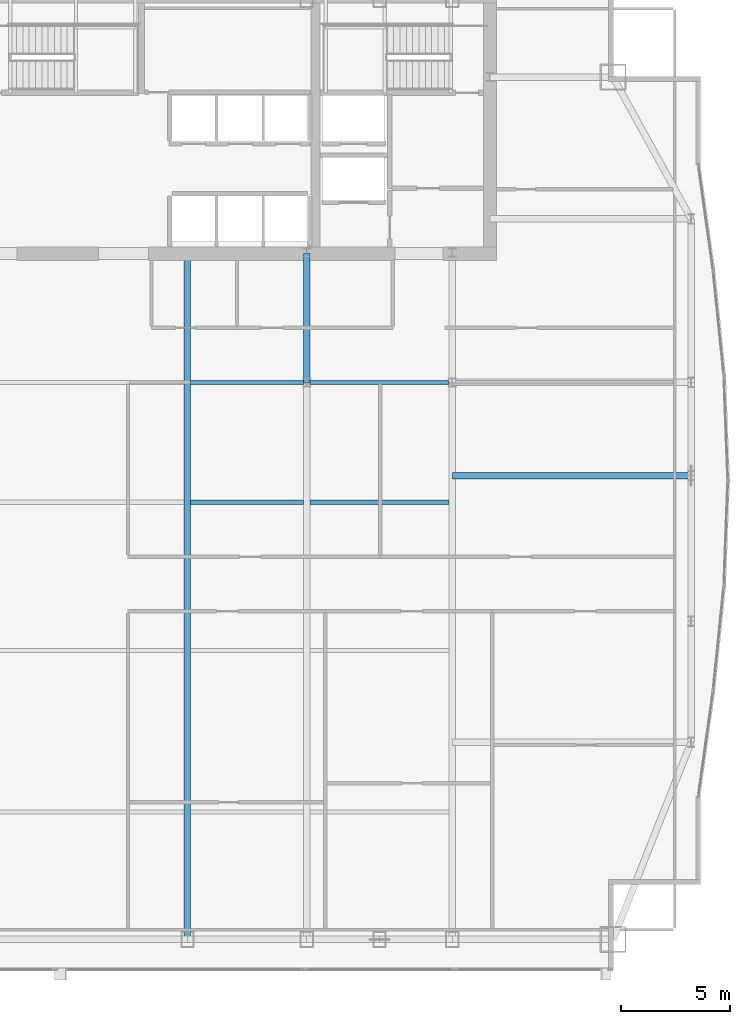
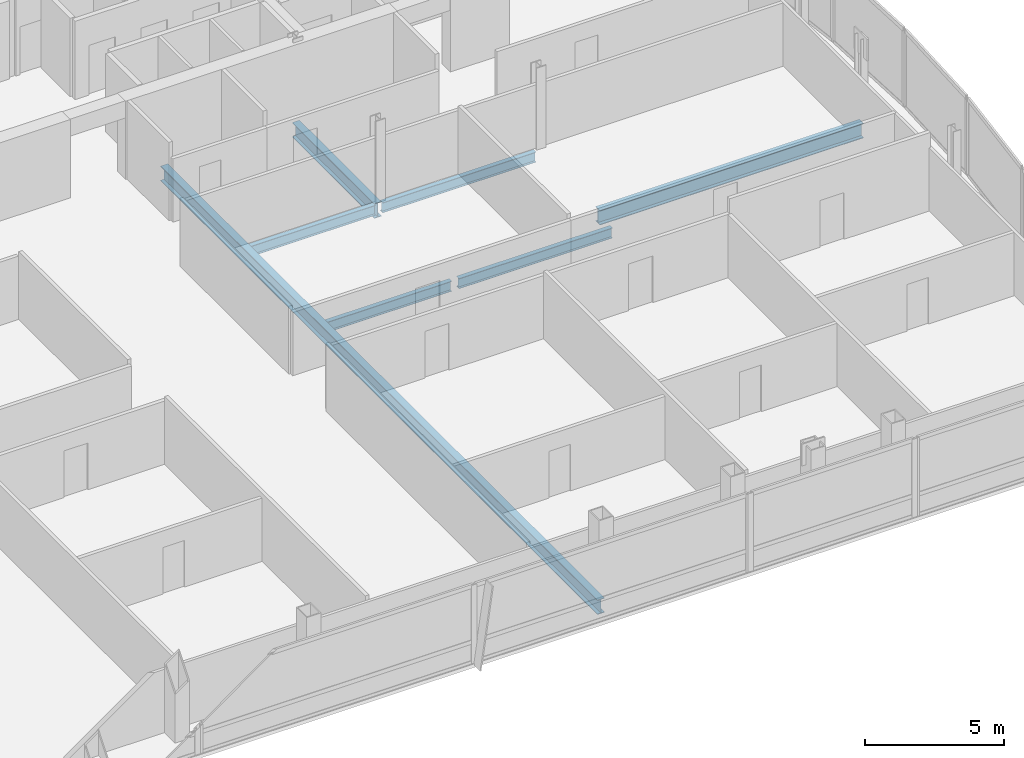
# One storey, part 19 of 32: 7 beams.
"""IFC4 building model written with IfcOpenShell, lengths in metres."""

from ifc_helpers import new_model, si_unit, direction, frame, origin, origin_2d, place, context, subcontext, project, spatial, i_section, extrude, material, material_profile, profile_set, type_object, element, save


model = new_model("IFC4")

# Units and contexts
model_context = context("Model", 3, precision=1e-05, world=origin(), true_north=direction((0.0, 1.0)))
body_context = subcontext(model_context, "Body", "Model", "MODEL_VIEW")
ifc_project = project(units=[si_unit("LENGTHUNIT", "METRE"), si_unit("AREAUNIT", "SQUARE_METRE"), si_unit("VOLUMEUNIT", "CUBIC_METRE"), si_unit("PLANEANGLEUNIT", "RADIAN"), si_unit("MASSUNIT", "GRAM", prefix="KILO")], contexts=[model_context])

# Site, building, storey
site_placement = place(None, origin())
site = spatial("IfcSite", under=ifc_project, at=site_placement, CompositionType="ELEMENT")
building_placement = place(site_placement, origin())
building = spatial("IfcBuilding", under=site, at=building_placement, Name="Khoronbel Lancet Exchange", CompositionType="ELEMENT")
storey_placement = place(building_placement, frame((0.0, 0.0, 228.199951171875)))
storey = spatial("IfcBuildingStorey", under=building, at=storey_placement, Name="L58", CompositionType="ELEMENT", Elevation=228.199951171875)

# Beams
ifc_material = material(Name="Steel S355", Category="steel")
ifc_material_profile_1 = material_profile(ifc_material, i_section(OverallWidth=0.300048828125, OverallDepth=0.64990234375, WebThickness=0.01611328125, FlangeThickness=0.031005859375, at=origin_2d()), Name="HEB 650")
ifc_profile_set_1 = profile_set([ifc_material_profile_1], Name="Steel S355")
beam_type_1 = type_object("IfcBeamType", Name="BM-BG4", PredefinedType="BEAM", material=ifc_profile_set_1)
beam_1_placement = place(storey_placement, frame((42.52490234375, 10.14990234375, -0.48486328125), z_axis=(0.0, 1.0, 0.0), x_axis=(-1.0, 0.0, 0.0)))
element("IfcBeam", 1, at=beam_1_placement, inside=storey, type_object=beam_type_1, Name="Level L58 primary floor girder G4", PredefinedType="BEAM", context=body_context, shape_type="SweptSolid", body=[
    extrude(i_section(OverallWidth=0.300048828125, OverallDepth=0.64990234375, WebThickness=0.01611328125, FlangeThickness=0.031005859375, at=origin_2d()), origin(), (0.0, 0.0, 1.0), 31.4501953125),
])
beam_2_placement = place(storey_placement, frame((48.0, 35.699951171875, -0.48486328125), z_axis=(0.0, 1.0, 0.0), x_axis=(-1.0, 0.0, 0.0)))
element("IfcBeam", 2, at=beam_2_placement, inside=storey, type_object=beam_type_1, Name="Level L58 spine tie girder GN5", PredefinedType="BEAM", context=body_context, shape_type="SweptSolid", body=[
    extrude(i_section(OverallWidth=0.300048828125, OverallDepth=0.64990234375, WebThickness=0.01611328125, FlangeThickness=0.031005859375, at=origin_2d()), origin(), (0.0, 0.0, 1.0), 5.900146484375),
])
beam_3_placement = place(storey_placement, frame((54.675048828125, 31.425048828125, -0.48486328125), z_axis=(1.0, 0.0, 0.0), x_axis=(0.0, 1.0, 0.0)))
element("IfcBeam", 3, at=beam_3_placement, inside=storey, type_object=beam_type_1, Name="Level L58 east lens tie girder LG2E", PredefinedType="BEAM", context=body_context, shape_type="SweptSolid", body=[
    extrude(i_section(OverallWidth=0.300048828125, OverallDepth=0.64990234375, WebThickness=0.01611328125, FlangeThickness=0.031005859375, at=origin_2d()), origin(), (0.0, 0.0, 1.0), 10.954833984375),
])
ifc_material_profile_2 = material_profile(ifc_material, i_section(OverallWidth=0.18994140625, OverallDepth=0.449951171875, WebThickness=0.009521484375, FlangeThickness=0.0146484375, at=origin_2d()), Name="IPE 450")
ifc_profile_set_2 = profile_set([ifc_material_profile_2], Name="Steel S355")
beam_type_2 = type_object("IfcBeamType", Name="BM-BJ4", PredefinedType="JOIST", material=ifc_profile_set_2)
beam_4_placement = place(storey_placement, frame((42.675048828125, 30.199951171875, -0.385009765625), z_axis=(1.0, 0.0, 0.0), x_axis=(0.0, 1.0, 0.0)))
element("IfcBeam", 4, at=beam_4_placement, inside=storey, type_object=beam_type_2, Name="Level L58 secondary composite joist J14", PredefinedType="JOIST", context=body_context, shape_type="SweptSolid", body=[
    extrude(i_section(OverallWidth=0.18994140625, OverallDepth=0.449951171875, WebThickness=0.009521484375, FlangeThickness=0.0146484375, at=origin_2d()), origin(), (0.0, 0.0, 1.0), 5.175048828125),
])
beam_5_placement = place(storey_placement, frame((48.14990234375, 30.199951171875, -0.385009765625), z_axis=(1.0, 0.0, 0.0), x_axis=(0.0, 1.0, 0.0)))
element("IfcBeam", 5, at=beam_5_placement, inside=storey, type_object=beam_type_2, Name="Level L58 secondary composite joist J15", PredefinedType="JOIST", context=body_context, shape_type="SweptSolid", body=[
    extrude(i_section(OverallWidth=0.18994140625, OverallDepth=0.449951171875, WebThickness=0.009521484375, FlangeThickness=0.0146484375, at=origin_2d()), origin(), (0.0, 0.0, 1.0), 6.375),
])
beam_6_placement = place(storey_placement, frame((42.675048828125, 35.699951171875, -0.385009765625), z_axis=(1.0, 0.0, 0.0), x_axis=(0.0, 1.0, 0.0)))
element("IfcBeam", 6, at=beam_6_placement, inside=storey, type_object=beam_type_2, Name="Level L58 secondary composite joist J19", PredefinedType="JOIST", context=body_context, shape_type="SweptSolid", body=[
    extrude(i_section(OverallWidth=0.18994140625, OverallDepth=0.449951171875, WebThickness=0.009521484375, FlangeThickness=0.0146484375, at=origin_2d()), origin(), (0.0, 0.0, 1.0), 5.175048828125),
])
beam_7_placement = place(storey_placement, frame((48.14990234375, 35.699951171875, -0.385009765625), z_axis=(1.0, 0.0, 0.0), x_axis=(0.0, 1.0, 0.0)))
element("IfcBeam", 7, at=beam_7_placement, inside=storey, type_object=beam_type_2, Name="Level L58 secondary composite joist J20", PredefinedType="JOIST", context=body_context, shape_type="SweptSolid", body=[
    extrude(i_section(OverallWidth=0.18994140625, OverallDepth=0.449951171875, WebThickness=0.009521484375, FlangeThickness=0.0146484375, at=origin_2d()), origin(), (0.0, 0.0, 1.0), 6.375),
])

save(model, "model.ifc")
